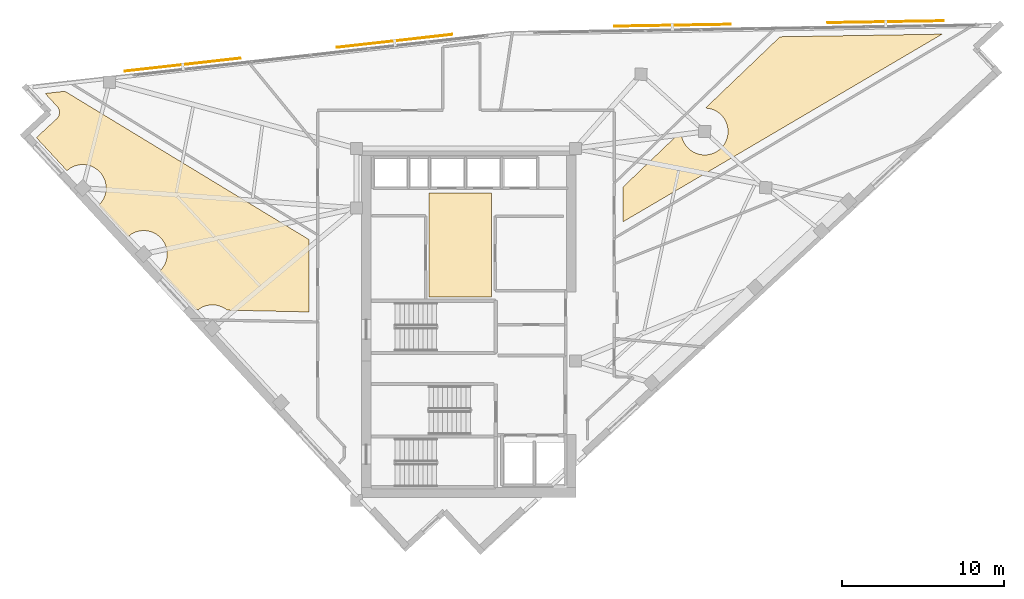
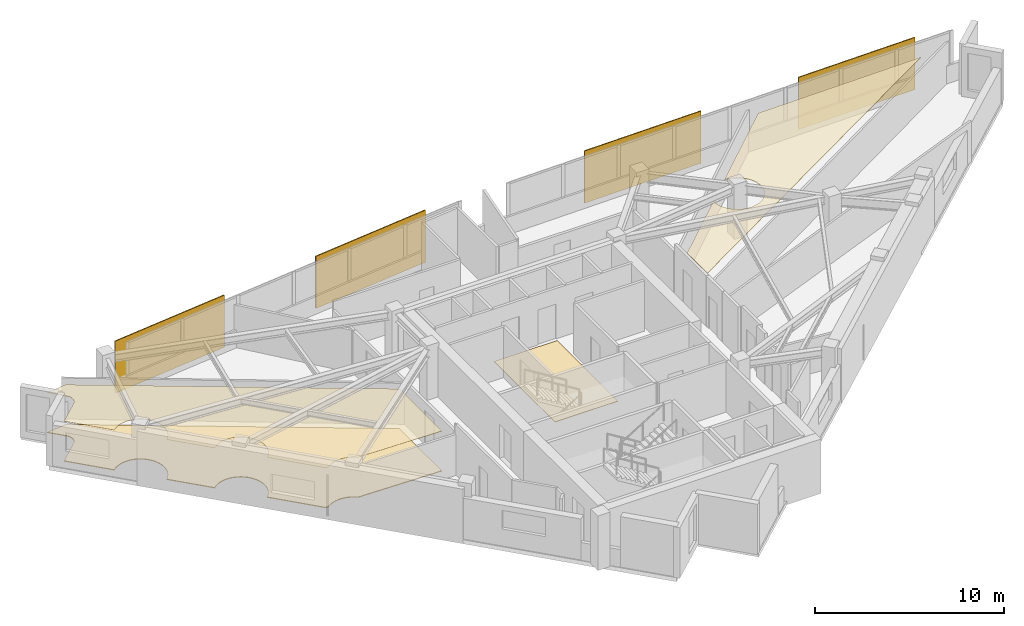
# One storey, part 13 of 13: 4 coverings, 4 shading devices.
"""IFC4 building model written with IfcOpenShell, lengths in metres."""

from ifc_helpers import new_model, si_unit, direction, frame, origin, origin_2d, place, context, subcontext, project, spatial, polyline, rectangle, outline, extrude, material, layer, layer_set, type_object, element, save


model = new_model("IFC4")

# Units and contexts
model_context = context("Model", 3, precision=1e-05, world=origin(), true_north=direction((0.0, 1.0)))
body_context = subcontext(model_context, "Body", "Model", "MODEL_VIEW")
ifc_project = project(units=[si_unit("LENGTHUNIT", "METRE"), si_unit("AREAUNIT", "SQUARE_METRE"), si_unit("VOLUMEUNIT", "CUBIC_METRE"), si_unit("PLANEANGLEUNIT", "RADIAN"), si_unit("MASSUNIT", "GRAM", prefix="KILO")], contexts=[model_context])

# Site, building, storey
site_placement = place(None, origin())
site = spatial("IfcSite", under=ifc_project, at=site_placement, CompositionType="ELEMENT")
building_placement = place(site_placement, origin())
building = spatial("IfcBuilding", under=site, at=building_placement, Name="Narakoshi Arena Tower", CompositionType="ELEMENT")
storey_placement = place(building_placement, frame((0.0, 0.0, 274.820068359375)))
storey = spatial("IfcBuildingStorey", under=building, at=storey_placement, Name="L75", CompositionType="ELEMENT", Elevation=274.820068359375)

# Coverings
ifc_material_1 = material(Name="Acoustic mineral-fibre ceiling tile")
ifc_layer_1 = layer(ifc_material_1, 0.02001953125)
ifc_layer_set_1 = layer_set([ifc_layer_1], Name="Acoustic mineral-fibre ceiling tile")
covering_type_1 = type_object("IfcCoveringType", Name="COV-CLG-AC20", PredefinedType="CEILING", material=ifc_layer_set_1)
covering_1_placement = place(storey_placement, frame((0.0, 0.0, 2.58984375)))
element("IfcCovering", 1, at=covering_1_placement, inside=storey, type_object=covering_type_1, Name="L75 Suspended Acoustic Ceiling 1", PredefinedType="CEILING", context=body_context, shape_type="SweptSolid", body=[
    extrude(outline(polyline([(69.050048828125, 50.865478515625), (69.050048828125, 46.374755859375), (64.00390625, 46.485107421875), (64.00390625, 46.485107421875), (63.889404296875, 46.56982421875), (63.767333984375, 46.64306640625), (63.638916015625, 46.703857421875), (63.5048828125, 46.751708984375), (63.36669921875, 46.786376953125), (63.22607421875, 46.80712890625), (63.083984375, 46.814208984375), (62.94189453125, 46.80712890625), (62.801025390625, 46.786376953125), (62.6630859375, 46.751708984375), (62.529052734375, 46.703857421875), (62.400390625, 46.64306640625), (62.2783203125, 46.56982421875), (62.216552734375, 46.52392578125), (62.021484375, 46.5283203125), (59.825439453125, 48.90380859375), (59.8603515625, 48.935302734375), (59.955810546875, 49.040771484375), (60.04052734375, 49.155029296875), (60.11376953125, 49.277099609375), (60.174560546875, 49.40576171875), (60.22265625, 49.539794921875), (60.257080078125, 49.677734375), (60.278076171875, 49.818603515625), (60.284912109375, 49.960693359375), (60.278076171875, 50.102783203125), (60.257080078125, 50.243408203125), (60.22265625, 50.381591796875), (60.174560546875, 50.515380859375), (60.11376953125, 50.64404296875), (60.04052734375, 50.76611328125), (59.955810546875, 50.880615234375), (59.8603515625, 50.98583984375), (59.7548828125, 51.08154296875), (59.640625, 51.166259765625), (59.5185546875, 51.239501953125), (59.389892578125, 51.30029296875), (59.255859375, 51.34814453125), (59.117919921875, 51.3828125), (58.97705078125, 51.403564453125), (58.8349609375, 51.41064453125), (58.69287109375, 51.403564453125), (58.552001953125, 51.3828125), (58.4140625, 51.34814453125), (58.280029296875, 51.30029296875), (58.151611328125, 51.239501953125), (58.029296875, 51.166259765625), (57.9150390625, 51.08154296875), (57.859375, 51.03076171875), (56.048583984375, 52.989501953125), (56.08349609375, 53.02099609375), (56.17919921875, 53.12646484375), (56.263916015625, 53.24072265625), (56.3369140625, 53.36279296875), (56.397705078125, 53.491455078125), (56.44580078125, 53.62548828125), (56.480224609375, 53.763427734375), (56.501220703125, 53.904296875), (56.50830078125, 54.04638671875), (56.501220703125, 54.1884765625), (56.480224609375, 54.3291015625), (56.44580078125, 54.46728515625), (56.397705078125, 54.601318359375), (56.3369140625, 54.729736328125), (56.263916015625, 54.851806640625), (56.17919921875, 54.96630859375), (56.08349609375, 55.071533203125), (55.97802734375, 55.167236328125), (55.86376953125, 55.251953125), (55.74169921875, 55.3251953125), (55.613037109375, 55.385986328125), (55.47900390625, 55.433837890625), (55.341064453125, 55.468505859375), (55.2001953125, 55.4892578125), (55.05810546875, 55.496337890625), (54.916015625, 55.4892578125), (54.775390625, 55.468505859375), (54.63720703125, 55.433837890625), (54.50341796875, 55.385986328125), (54.374755859375, 55.3251953125), (54.252685546875, 55.251953125), (54.13818359375, 55.167236328125), (54.08251953125, 55.11669921875), (52.1884765625, 57.16552734375), (53.4404296875, 58.322998046875), (53.478271484375, 58.361572265625), (53.51220703125, 58.403564453125), (53.54150390625, 58.44873046875), (53.566650390625, 58.49658203125), (53.586669921875, 58.546630859375), (53.601806640625, 58.598388671875), (53.61181640625, 58.6513671875), (53.61669921875, 58.705078125), (53.6162109375, 58.75927734375), (53.6103515625, 58.812744140625), (53.599365234375, 58.86572265625), (53.5830078125, 58.917236328125), (53.56201171875, 58.966796875), (53.535888671875, 59.01416015625), (53.505615234375, 59.058837890625), (53.470947265625, 59.10009765625), (52.731689453125, 59.89990234375), (53.95263671875, 60.03662109375), (69.050048828125, 50.865478515625)])), origin(), (0.0, 0.0, 1.0), 0.02001953125),
])
ifc_material_2 = material(Name="Slatted oak acoustic timber baffle", Category="wood")
ifc_layer_2 = layer(ifc_material_2, 0.034912109375)
ifc_layer_set_2 = layer_set([ifc_layer_2], Name="Slatted oak acoustic timber baffle")
covering_type_2 = type_object("IfcCoveringType", Name="COV-CLG-WD35", PredefinedType="CEILING", material=ifc_layer_set_2)
covering_2_placement = place(storey_placement, frame((0.0, 0.0, 2.574951171875)))
element("IfcCovering", 2, at=covering_2_placement, inside=storey, type_object=covering_type_2, Name="L75 Suspended Acoustic Ceiling 2", PredefinedType="CEILING", context=body_context, shape_type="SweptSolid", body=[
    extrude(outline(polyline([(92.10107421875, 57.554931640625), (92.100341796875, 57.543701171875), (92.107421875, 57.401611328125), (92.12841796875, 57.2607421875), (92.162841796875, 57.122802734375), (92.210693359375, 56.98876953125), (92.271484375, 56.860107421875), (92.3447265625, 56.738037109375), (92.429443359375, 56.623779296875), (92.525146484375, 56.518310546875), (92.630615234375, 56.422607421875), (92.744873046875, 56.337890625), (92.866943359375, 56.264892578125), (92.99560546875, 56.2041015625), (93.12939453125, 56.156005859375), (93.267578125, 56.12158203125), (93.408203125, 56.1005859375), (93.55029296875, 56.093505859375), (93.6923828125, 56.1005859375), (93.833251953125, 56.12158203125), (93.97119140625, 56.156005859375), (94.105224609375, 56.2041015625), (94.23388671875, 56.264892578125), (94.35595703125, 56.337890625), (94.47021484375, 56.422607421875), (94.57568359375, 56.518310546875), (94.67138671875, 56.623779296875), (94.756103515625, 56.738037109375), (94.8291015625, 56.860107421875), (94.889892578125, 56.98876953125), (94.93798828125, 57.122802734375), (94.972412109375, 57.2607421875), (94.993408203125, 57.401611328125), (95.00048828125, 57.543701171875), (94.993408203125, 57.685791015625), (94.972412109375, 57.826416015625), (94.93798828125, 57.964599609375), (94.889892578125, 58.098388671875), (94.8291015625, 58.22705078125), (94.756103515625, 58.34912109375), (94.67138671875, 58.46337890625), (94.57568359375, 58.56884765625), (94.47021484375, 58.66455078125), (94.35595703125, 58.749267578125), (94.23388671875, 58.822509765625), (94.105224609375, 58.88330078125), (93.97119140625, 58.93115234375), (93.833251953125, 58.9658203125), (93.6923828125, 58.986572265625), (93.601318359375, 58.9912109375), (98.214111328125, 63.406982421875), (108.25, 63.572021484375), (88.5, 51.956787109375), (88.5, 54.107666015625), (92.10107421875, 57.554931640625)])), origin(), (0.0, 0.0, 1.0), 0.034912109375),
])
ifc_material_3 = material(Name="Raised steel access floor panel", Category="steel")
ifc_layer_3 = layer(ifc_material_3, 0.044921875)
ifc_layer_set_3 = layer_set([ifc_layer_3], Name="Raised steel access floor panel")
covering_type_3 = type_object("IfcCoveringType", Name="COV-FLR-RF45", PredefinedType="FLOORING", material=ifc_layer_set_3)
covering_3_placement = place(storey_placement, origin())
element("IfcCovering", 3, at=covering_3_placement, inside=storey, type_object=covering_type_3, Name="L75 Raised Steel Access Floor", PredefinedType="FLOORING", context=body_context, shape_type="SweptSolid", body=[
    extrude(outline(polyline([(69.050048828125, 50.865478515625), (69.050048828125, 46.374755859375), (64.00390625, 46.485107421875), (64.00390625, 46.485107421875), (63.889404296875, 46.56982421875), (63.767333984375, 46.64306640625), (63.638916015625, 46.703857421875), (63.5048828125, 46.751708984375), (63.36669921875, 46.786376953125), (63.22607421875, 46.80712890625), (63.083984375, 46.814208984375), (62.94189453125, 46.80712890625), (62.801025390625, 46.786376953125), (62.6630859375, 46.751708984375), (62.529052734375, 46.703857421875), (62.400390625, 46.64306640625), (62.2783203125, 46.56982421875), (62.216552734375, 46.52392578125), (62.021484375, 46.5283203125), (59.825439453125, 48.90380859375), (59.8603515625, 48.935302734375), (59.955810546875, 49.040771484375), (60.04052734375, 49.155029296875), (60.11376953125, 49.277099609375), (60.174560546875, 49.40576171875), (60.22265625, 49.539794921875), (60.257080078125, 49.677734375), (60.278076171875, 49.818603515625), (60.284912109375, 49.960693359375), (60.278076171875, 50.102783203125), (60.257080078125, 50.243408203125), (60.22265625, 50.381591796875), (60.174560546875, 50.515380859375), (60.11376953125, 50.64404296875), (60.04052734375, 50.76611328125), (59.955810546875, 50.880615234375), (59.8603515625, 50.98583984375), (59.7548828125, 51.08154296875), (59.640625, 51.166259765625), (59.5185546875, 51.239501953125), (59.389892578125, 51.30029296875), (59.255859375, 51.34814453125), (59.117919921875, 51.3828125), (58.97705078125, 51.403564453125), (58.8349609375, 51.41064453125), (58.69287109375, 51.403564453125), (58.552001953125, 51.3828125), (58.4140625, 51.34814453125), (58.280029296875, 51.30029296875), (58.151611328125, 51.239501953125), (58.029296875, 51.166259765625), (57.9150390625, 51.08154296875), (57.859375, 51.03076171875), (56.048583984375, 52.989501953125), (56.08349609375, 53.02099609375), (56.17919921875, 53.12646484375), (56.263916015625, 53.24072265625), (56.3369140625, 53.36279296875), (56.397705078125, 53.491455078125), (56.44580078125, 53.62548828125), (56.480224609375, 53.763427734375), (56.501220703125, 53.904296875), (56.50830078125, 54.04638671875), (56.501220703125, 54.1884765625), (56.480224609375, 54.3291015625), (56.44580078125, 54.46728515625), (56.397705078125, 54.601318359375), (56.3369140625, 54.729736328125), (56.263916015625, 54.851806640625), (56.17919921875, 54.96630859375), (56.08349609375, 55.071533203125), (55.97802734375, 55.167236328125), (55.86376953125, 55.251953125), (55.74169921875, 55.3251953125), (55.613037109375, 55.385986328125), (55.47900390625, 55.433837890625), (55.341064453125, 55.468505859375), (55.2001953125, 55.4892578125), (55.05810546875, 55.496337890625), (54.916015625, 55.4892578125), (54.775390625, 55.468505859375), (54.63720703125, 55.433837890625), (54.50341796875, 55.385986328125), (54.374755859375, 55.3251953125), (54.252685546875, 55.251953125), (54.13818359375, 55.167236328125), (54.08251953125, 55.11669921875), (52.1884765625, 57.16552734375), (53.4404296875, 58.322998046875), (53.478271484375, 58.361572265625), (53.51220703125, 58.403564453125), (53.54150390625, 58.44873046875), (53.566650390625, 58.49658203125), (53.586669921875, 58.546630859375), (53.601806640625, 58.598388671875), (53.61181640625, 58.6513671875), (53.61669921875, 58.705078125), (53.6162109375, 58.75927734375), (53.6103515625, 58.812744140625), (53.599365234375, 58.86572265625), (53.5830078125, 58.917236328125), (53.56201171875, 58.966796875), (53.535888671875, 59.01416015625), (53.505615234375, 59.058837890625), (53.470947265625, 59.10009765625), (52.731689453125, 59.89990234375), (53.95263671875, 60.03662109375), (69.050048828125, 50.865478515625)])), origin(), (0.0, 0.0, 1.0), 0.044921875),
])
ifc_material_4 = material(Name="Honed granite stone paving", Category="masonry")
ifc_layer_4 = layer(ifc_material_4, 0.030029296875)
ifc_layer_set_4 = layer_set([ifc_layer_4], Name="Honed granite stone paving")
covering_type_4 = type_object("IfcCoveringType", Name="COV-FLR-ST30", PredefinedType="FLOORING", material=ifc_layer_set_4)
covering_4_placement = place(storey_placement, origin())
element("IfcCovering", 4, at=covering_4_placement, inside=storey, type_object=covering_type_4, Name="L75 Lift Lobby Granite Flooring", PredefinedType="FLOORING", context=body_context, shape_type="SweptSolid", body=[
    extrude(outline(polyline([(76.5, 47.300048828125), (80.35009765625, 47.300048828125), (80.35009765625, 53.75), (76.5, 53.75), (76.5, 47.300048828125)])), origin(), (0.0, 0.0, 1.0), 0.030029296875),
])

# Shading devices
ifc_material_5 = material(Name="Perforated bronze ceramic-metal composite")
ifc_layer_5 = layer(ifc_material_5, 0.06005859375)
ifc_layer_set_5 = layer_set([ifc_layer_5], Name="Perforated bronze ceramic-metal composite")
shading_device_type = type_object("IfcShadingDeviceType", Name="SHD-SCR-BRZ2", PredefinedType="USERDEFINED", material=ifc_layer_set_5)
for number, where, z_axis, x_axis, name in (
    (5, (104.75439453125, 64.334716796875, -0.000244140625), (0.0, 0.0, 1.0), (-0.999864849778, -0.016440260879, 0.0), "L75 Perforated Bronze Solar Screen 1-1"),
    (6, (91.556396484375, 64.11767578125, -0.000244140625), (0.0, 0.0, 1.0), (-0.999864849778, -0.016440260879, 0.0), "L75 Perforated Bronze Solar Screen 1-2"),
    (7, (74.3623046875, 63.149658203125, -0.000244140625), (0.0, 0.0, 1.0), (-0.993775698738, -0.111399553846, 0.0), "L75 Perforated Bronze Solar Screen 2-1"),
    (8, (61.24462890625, 61.67919921875, -0.000244140625), (0.0, 0.0, 1.0), (-0.993775698738, -0.111399553846, 0.0), "L75 Perforated Bronze Solar Screen 2-2"),
):
    element("IfcShadingDevice", number, at=place(storey_placement, frame(where, z_axis=z_axis, x_axis=x_axis)), inside=storey, type_object=shading_device_type, Name=name, ObjectType="SOLAR SCREEN", PredefinedType="USERDEFINED", context=body_context, shape_type="SweptSolid", body=[
        extrude(rectangle(XDim=7.199951171875, YDim=0.06005859375, at=origin_2d()), origin(), (0.0, 0.0, 1.0), 3.3701171875),
    ])

save(model, "model.ifc")
